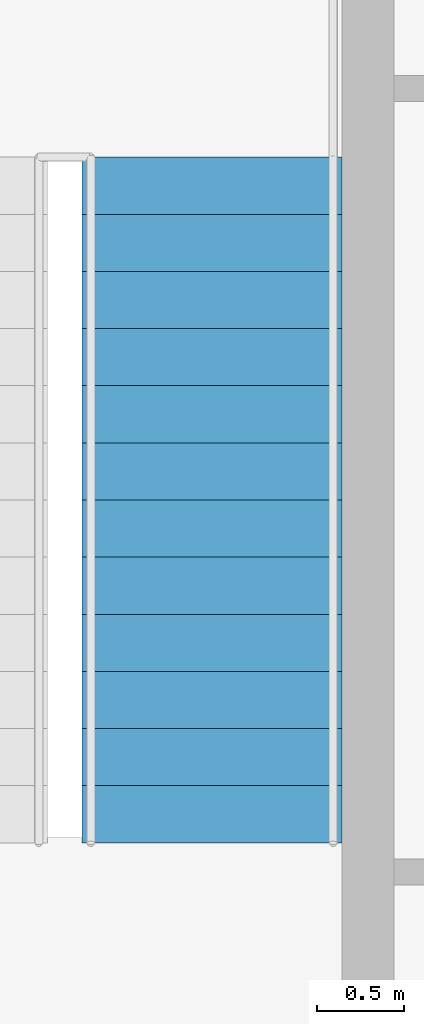
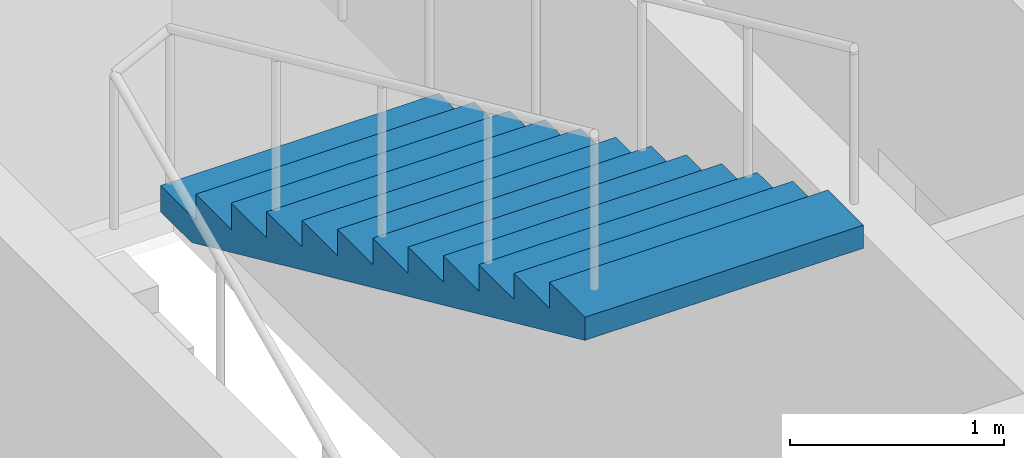
# One storey, part 10 of 11: 1 stair flight, 1 element without a shape of its own.
"""IFC4 building model written with IfcOpenShell, lengths in metres."""

from ifc_helpers import new_model, si_unit, direction, frame, origin, place, context, subcontext, project, spatial, polygons, material, type_object, element, aggregate, save


model = new_model("IFC4")

# Units and contexts
model_context = context("Model", 3, precision=1e-05, world=origin(), true_north=direction((0.0, 1.0)))
body_context = subcontext(model_context, "Body", "Model", "MODEL_VIEW")
ifc_project = project(units=[si_unit("LENGTHUNIT", "METRE"), si_unit("AREAUNIT", "SQUARE_METRE"), si_unit("VOLUMEUNIT", "CUBIC_METRE"), si_unit("PLANEANGLEUNIT", "RADIAN"), si_unit("MASSUNIT", "GRAM", prefix="KILO")], contexts=[model_context])

# Site, building, storey
site_placement = place(None, origin())
site = spatial("IfcSite", under=ifc_project, at=site_placement, CompositionType="ELEMENT")
building_placement = place(site_placement, origin())
building = spatial("IfcBuilding", under=site, at=building_placement, Name="Njiva Tower", CompositionType="ELEMENT")
storey_placement = place(building_placement, frame((0.0, 0.0, 212.1)))
storey = spatial("IfcBuildingStorey", under=building, at=storey_placement, Name="L47", CompositionType="ELEMENT", Elevation=212.1)

# Stair, stair flight
ifc_material = material(Name="Concrete C40/50", Category="concrete")
stair_type = type_object("IfcStairType", Name="ST4 Exit stair 1500", PredefinedType="HALF_TURN_STAIR", material=ifc_material)
stair_placement = place(storey_placement, origin())
stair = element("IfcStair", 1, at=stair_placement, inside=storey, type_object=stair_type, Name="Stair B", PredefinedType="HALF_TURN_STAIR")
stair_flight_type = type_object("IfcStairFlightType", Name="FL4 Stair flight 1500", PredefinedType="STRAIGHT", material=ifc_material)
stair_flight_placement = place(storey_placement, frame((13.45, 15.06, 1.95), z_axis=(0.0, 0.0, 1.0), x_axis=(0.0, -1.0, 0.0)))
stair_flight = element("IfcStairFlight", 2, at=stair_flight_placement, type_object=stair_flight_type, Name="ST-B flight 2", NumberOfRisers=13, NumberOfTreads=12, PredefinedType="STRAIGHT", RiserHeight=0.15, TreadLength=0.33, context=body_context, shape_type="Tessellation", body=[
    polygons([(0.0, 0.75, 0.0), (0.0, 0.375, 0.0), (0.0, 0.0, 0.0), (0.0, -0.375, 0.0), (0.0, -0.75, 0.0), (0.0, 0.75, 0.15), (0.0, 0.375, 0.15), (0.0, 0.0, 0.15), (0.0, -0.375, 0.15), (0.0, -0.75, 0.15), (0.33, 0.75, 0.15), (0.33, 0.375, 0.15), (0.33, 0.0, 0.15), (0.33, -0.375, 0.15), (0.33, -0.75, 0.15), (0.33, 0.75, 0.3), (0.33, 0.375, 0.3), (0.33, 0.0, 0.3), (0.33, -0.375, 0.3), (0.33, -0.75, 0.3), (0.66, 0.75, 0.3), (0.66, 0.375, 0.3), (0.66, 0.0, 0.3), (0.66, -0.375, 0.3), (0.66, -0.75, 0.3), (0.66, 0.75, 0.45), (0.66, 0.375, 0.45), (0.66, 0.0, 0.45), (0.66, -0.375, 0.45), (0.66, -0.75, 0.45), (0.99, 0.75, 0.45), (0.99, 0.375, 0.45), (0.99, 0.0, 0.45), (0.99, -0.375, 0.45), (0.99, -0.75, 0.45), (0.99, 0.75, 0.6), (0.99, 0.375, 0.6), (0.99, 0.0, 0.6), (0.99, -0.375, 0.6), (0.99, -0.75, 0.6), (1.32, 0.75, 0.6), (1.32, 0.375, 0.6), (1.32, 0.0, 0.6), (1.32, -0.375, 0.6), (1.32, -0.75, 0.6), (1.32, 0.75, 0.75), (1.32, 0.375, 0.75), (1.32, 0.0, 0.75), (1.32, -0.375, 0.75), (1.32, -0.75, 0.75), (1.65, 0.75, 0.75), (1.65, 0.375, 0.75), (1.65, 0.0, 0.75), (1.65, -0.375, 0.75), (1.65, -0.75, 0.75), (1.65, 0.75, 0.9), (1.65, 0.375, 0.9), (1.65, 0.0, 0.9), (1.65, -0.375, 0.9), (1.65, -0.75, 0.9), (1.98, 0.75, 0.9), (1.98, 0.375, 0.9), (1.98, 0.0, 0.9), (1.98, -0.375, 0.9), (1.98, -0.75, 0.9), (1.98, 0.75, 1.05), (1.98, 0.375, 1.05), (1.98, 0.0, 1.05), (1.98, -0.375, 1.05), (1.98, -0.75, 1.05), (2.31, 0.75, 1.05), (2.31, 0.375, 1.05), (2.31, 0.0, 1.05), (2.31, -0.375, 1.05), (2.31, -0.75, 1.05), (2.31, 0.75, 1.2), (2.31, 0.375, 1.2), (2.31, 0.0, 1.2), (2.31, -0.375, 1.2), (2.31, -0.75, 1.2), (2.64, 0.75, 1.2), (2.64, 0.375, 1.2), (2.64, 0.0, 1.2), (2.64, -0.375, 1.2), (2.64, -0.75, 1.2), (2.64, 0.75, 1.35), (2.64, 0.375, 1.35), (2.64, 0.0, 1.35), (2.64, -0.375, 1.35), (2.64, -0.75, 1.35), (2.97, 0.75, 1.35), (2.97, 0.375, 1.35), (2.97, 0.0, 1.35), (2.97, -0.375, 1.35), (2.97, -0.75, 1.35), (2.97, 0.75, 1.5), (2.97, 0.375, 1.5), (2.97, 0.0, 1.5), (2.97, -0.375, 1.5), (2.97, -0.75, 1.5), (3.3, 0.75, 1.5), (3.3, 0.375, 1.5), (3.3, 0.0, 1.5), (3.3, -0.375, 1.5), (3.3, -0.75, 1.5), (3.3, 0.75, 1.65), (3.3, 0.375, 1.65), (3.3, 0.0, 1.65), (3.3, -0.375, 1.65), (3.3, -0.75, 1.65), (3.63, 0.75, 1.65), (3.63, 0.375, 1.65), (3.63, 0.0, 1.65), (3.63, -0.375, 1.65), (3.63, -0.75, 1.65), (3.63, 0.75, 1.8), (3.63, 0.375, 1.8), (3.63, 0.0, 1.8), (3.63, -0.375, 1.8), (3.63, -0.75, 1.8), (3.96, 0.75, 1.8), (3.96, 0.375, 1.8), (3.96, 0.0, 1.8), (3.96, -0.375, 1.8), (3.96, -0.75, 1.8), (3.96, 0.75, 1.6682), (3.96, 0.375, 1.6682), (3.96, 0.0, 1.6682), (3.96, -0.375, 1.6682), (3.96, -0.75, 1.6682), (0.29, 0.75, 0.0), (0.29, 0.375, 0.0), (0.29, 0.0, 0.0), (0.29, -0.375, 0.0), (0.29, -0.75, 0.0)], [[[1, 6, 11, 16, 21, 26, 31, 36, 41, 46, 51, 56, 61, 66, 71, 76, 81, 86, 91, 96, 101, 106, 111, 116, 121, 126, 131]], [[135, 130, 125, 120, 115, 110, 105, 100, 95, 90, 85, 80, 75, 70, 65, 60, 55, 50, 45, 40, 35, 30, 25, 20, 15, 10, 5]], [[6, 1, 2, 7]], [[7, 2, 3, 8]], [[8, 3, 4, 9]], [[9, 4, 5, 10]], [[11, 6, 7, 12]], [[12, 7, 8, 13]], [[13, 8, 9, 14]], [[14, 9, 10, 15]], [[16, 11, 12, 17]], [[17, 12, 13, 18]], [[18, 13, 14, 19]], [[19, 14, 15, 20]], [[21, 16, 17, 22]], [[22, 17, 18, 23]], [[23, 18, 19, 24]], [[24, 19, 20, 25]], [[26, 21, 22, 27]], [[27, 22, 23, 28]], [[28, 23, 24, 29]], [[29, 24, 25, 30]], [[31, 26, 27, 32]], [[32, 27, 28, 33]], [[33, 28, 29, 34]], [[34, 29, 30, 35]], [[36, 31, 32, 37]], [[37, 32, 33, 38]], [[38, 33, 34, 39]], [[39, 34, 35, 40]], [[41, 36, 37, 42]], [[42, 37, 38, 43]], [[43, 38, 39, 44]], [[44, 39, 40, 45]], [[46, 41, 42, 47]], [[47, 42, 43, 48]], [[48, 43, 44, 49]], [[49, 44, 45, 50]], [[51, 46, 47, 52]], [[52, 47, 48, 53]], [[53, 48, 49, 54]], [[54, 49, 50, 55]], [[56, 51, 52, 57]], [[57, 52, 53, 58]], [[58, 53, 54, 59]], [[59, 54, 55, 60]], [[61, 56, 57, 62]], [[62, 57, 58, 63]], [[63, 58, 59, 64]], [[64, 59, 60, 65]], [[66, 61, 62, 67]], [[67, 62, 63, 68]], [[68, 63, 64, 69]], [[69, 64, 65, 70]], [[71, 66, 67, 72]], [[72, 67, 68, 73]], [[73, 68, 69, 74]], [[74, 69, 70, 75]], [[76, 71, 72, 77]], [[77, 72, 73, 78]], [[78, 73, 74, 79]], [[79, 74, 75, 80]], [[81, 76, 77, 82]], [[82, 77, 78, 83]], [[83, 78, 79, 84]], [[84, 79, 80, 85]], [[86, 81, 82, 87]], [[87, 82, 83, 88]], [[88, 83, 84, 89]], [[89, 84, 85, 90]], [[91, 86, 87, 92]], [[92, 87, 88, 93]], [[93, 88, 89, 94]], [[94, 89, 90, 95]], [[96, 91, 92, 97]], [[97, 92, 93, 98]], [[98, 93, 94, 99]], [[99, 94, 95, 100]], [[101, 96, 97, 102]], [[102, 97, 98, 103]], [[103, 98, 99, 104]], [[104, 99, 100, 105]], [[106, 101, 102, 107]], [[107, 102, 103, 108]], [[108, 103, 104, 109]], [[109, 104, 105, 110]], [[111, 106, 107, 112]], [[112, 107, 108, 113]], [[113, 108, 109, 114]], [[114, 109, 110, 115]], [[116, 111, 112, 117]], [[117, 112, 113, 118]], [[118, 113, 114, 119]], [[119, 114, 115, 120]], [[121, 116, 117, 122]], [[122, 117, 118, 123]], [[123, 118, 119, 124]], [[124, 119, 120, 125]], [[126, 121, 122, 127]], [[127, 122, 123, 128]], [[128, 123, 124, 129]], [[129, 124, 125, 130]], [[131, 126, 127, 132]], [[132, 127, 128, 133]], [[133, 128, 129, 134]], [[134, 129, 130, 135]], [[1, 131, 132, 2]], [[2, 132, 133, 3]], [[3, 133, 134, 4]], [[4, 134, 135, 5]]], closed=True),
])
aggregate(stair, [stair_flight])

save(model, "model.ifc")
